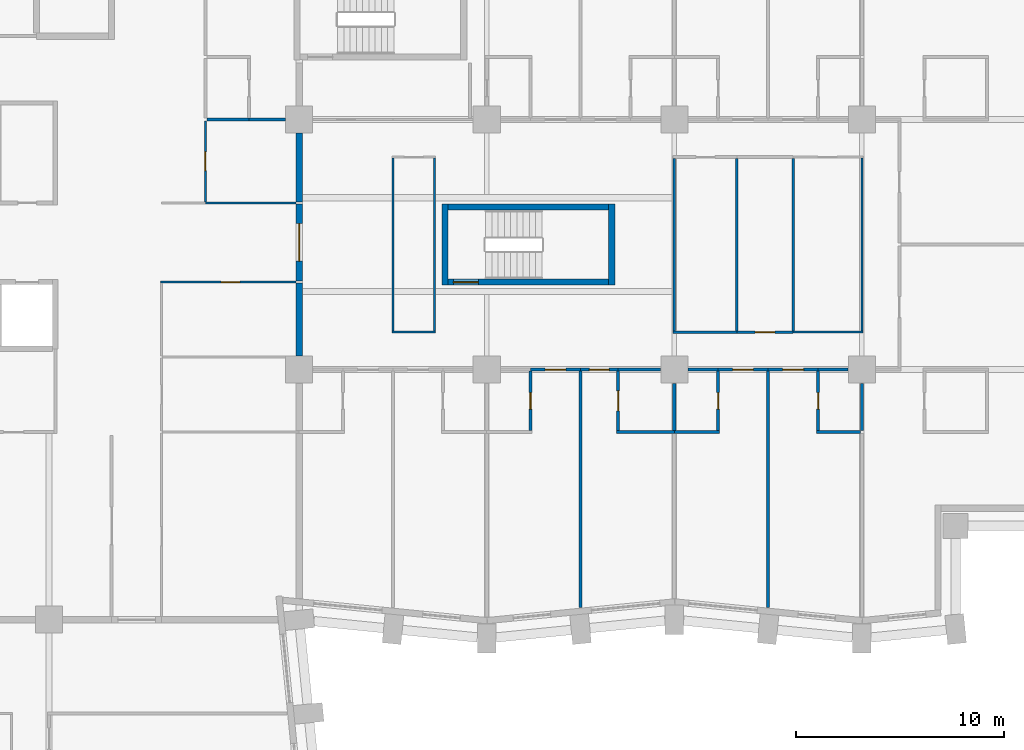
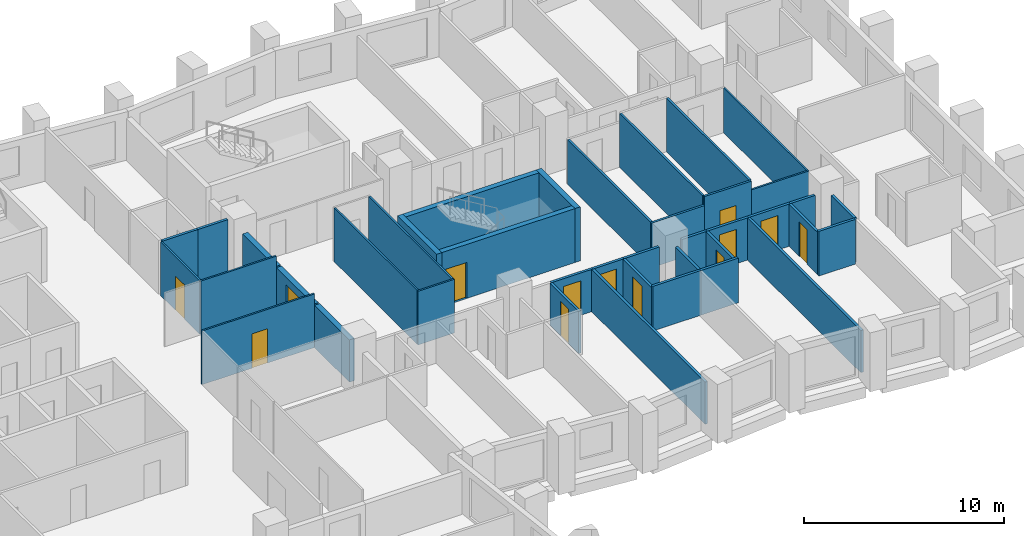
# One storey, part 8 of 13: 40 walls, 13 doors, 13 openings.
"""IFC4 building model written with IfcOpenShell, lengths in metres."""

from ifc_helpers import new_model, si_unit, direction, frame, frame_2d, origin, place, context, subcontext, project, spatial, rectangle, extrude, material, layer, layer_set, type_object, element, fill, save


model = new_model("IFC4")

# Units and contexts
model_context = context("Model", 3, precision=1e-05, world=origin(), true_north=direction((0.0, 1.0)))
body_context = subcontext(model_context, "Body", "Model", "MODEL_VIEW")
ifc_project = project(units=[si_unit("LENGTHUNIT", "METRE"), si_unit("AREAUNIT", "SQUARE_METRE"), si_unit("VOLUMEUNIT", "CUBIC_METRE"), si_unit("PLANEANGLEUNIT", "RADIAN"), si_unit("MASSUNIT", "GRAM", prefix="KILO")], contexts=[model_context])

# Site, building, storey
site_placement = place(None, origin())
site = spatial("IfcSite", under=ifc_project, at=site_placement, CompositionType="ELEMENT")
building_placement = place(site_placement, origin())
building = spatial("IfcBuilding", under=site, at=building_placement, Name="Brondeck Convention Tower", CompositionType="ELEMENT")
storey_placement = place(building_placement, frame((0.0, 0.0, 44.699951171875)))
storey = spatial("IfcBuildingStorey", under=building, at=storey_placement, Name="L08", CompositionType="ELEMENT", Elevation=44.699951171875)

# Wall
ifc_material_1 = material(Name="Concrete compartment wall C30/37", Category="concrete")
ifc_layer_1 = layer(ifc_material_1, 0.300048828125)
ifc_layer_set_1 = layer_set([ifc_layer_1], Name="Compartment wall 300")
wall_type_1 = type_object("IfcWallType", Name="Compartment wall 300", PredefinedType="PARTITIONING", material=ifc_layer_set_1)
wall_1_placement = place(storey_placement, frame((36.0, 43.14990234375, 0.0), z_axis=(0.0, 0.0, 1.0), x_axis=(0.0, -1.0, 0.0)))
element("IfcWall", 1, at=wall_1_placement, inside=storey, type_object=wall_type_1, Name="FLR-L08-W110", PredefinedType="PARTITIONING", context=body_context, shape_type="SweptSolid", body=[
    extrude(rectangle(XDim=3.494873046875, YDim=0.300048828125, at=frame_2d((1.74755859375, 0.0))), origin(), (0.0, 0.0, 1.0), 2.580078125),
])

# Wall, opening, door
wall_2_placement = place(storey_placement, frame((36.0, 46.949951171875, 0.0), z_axis=(0.0, 0.0, 1.0), x_axis=(0.0, -1.0, 0.0)))
wall_2 = element("IfcWall", 2, at=wall_2_placement, inside=storey, type_object=wall_type_1, Name="FLR-L08-W114", PredefinedType="PARTITIONING", context=body_context, shape_type="SweptSolid", body=[
    extrude(rectangle(XDim=3.699951171875, YDim=0.300048828125, at=frame_2d((1.85009765625, 0.0))), origin(), (0.0, 0.0, 1.0), 2.580078125),
])
opening_1_placement = place(wall_2_placement, frame((0.949951171875, 0.0, 0.0)))
opening_1 = element("IfcOpeningElement", 3, at=opening_1_placement, cuts=wall_2, Name="Opening H1-054", PredefinedType="OPENING", context=body_context, shape_type="SweptSolid", body=[
    extrude(rectangle(XDim=1.800048828125, YDim=2.10009765625, at=frame_2d((0.89990234375, 1.050048828125))), frame((0.0, 0.159912109375, 0.0), z_axis=(0.0, -1.0, 0.0), x_axis=(1.0, 0.0, 0.0)), (0.0, 0.0, 1.0), 0.320068359375),
])
ifc_material_2 = material(Name="Steel fire door pair", Category="steel")
door_type_1 = type_object("IfcDoorType", Name="Fire door pair 1800", OperationType="DOUBLE_DOOR_SINGLE_SWING", PredefinedType="DOOR", material=ifc_material_2)
door_1_placement = place(opening_1_placement, origin())
door_1 = element("IfcDoor", 4, at=door_1_placement, inside=storey, type_object=door_type_1, Name="Door H1-054", OperationType="DOUBLE_DOOR_SINGLE_SWING", OverallHeight=2.10009765625, OverallWidth=1.800048828125, PredefinedType="DOOR", context=body_context, shape_type="SweptSolid", body=[
    extrude(rectangle(XDim=1.800048828125, YDim=2.10009765625, at=frame_2d((0.89990234375, 1.050048828125))), frame((0.0, 0.02490234375, 0.0), z_axis=(0.0, -1.0, 0.0), x_axis=(1.0, 0.0, 0.0)), (0.0, 0.0, 1.0), 0.050048828125),
])
fill(opening_1, door_1)

# Walls
wall_3_placement = place(storey_placement, frame((36.0, 50.344970703125, 0.0), z_axis=(0.0, 0.0, 1.0), x_axis=(0.0, -1.0, 0.0)))
element("IfcWall", 5, at=wall_3_placement, inside=storey, type_object=wall_type_1, Name="FLR-L08-W126", PredefinedType="PARTITIONING", context=body_context, shape_type="SweptSolid", body=[
    extrude(rectangle(XDim=3.294921875, YDim=0.300048828125, at=frame_2d((1.6474609375, 0.0))), origin(), (0.0, 0.0, 1.0), 2.580078125),
])
ifc_material_3 = material(Name="Double gypsum board acoustic wall")
ifc_layer_2 = layer(ifc_material_3, 0.14990234375)
ifc_layer_set_2 = layer_set([ifc_layer_2], Name="Guest room party wall 150")
wall_type_2 = type_object("IfcWallType", Name="Guest room party wall 150", PredefinedType="PARTITIONING", material=ifc_layer_set_2)
wall_4_placement = place(storey_placement, frame((51.22509765625, 36.0, 0.0), z_axis=(0.0, 0.0, 1.0), x_axis=(1.0, 0.0, 0.0)))
element("IfcWall", 6, at=wall_4_placement, inside=storey, type_object=wall_type_2, Name="FLR-L08-W069", PredefinedType="PARTITIONING", context=body_context, shape_type="SweptSolid", body=[
    extrude(rectangle(XDim=2.77490234375, YDim=0.14990234375, at=frame_2d((1.387451171875, 0.0))), origin(), (0.0, 0.0, 1.0), 2.72998046875),
])
wall_5_placement = place(storey_placement, frame((54.0, 36.0, 0.0), z_axis=(0.0, 0.0, 1.0), x_axis=(1.0, 0.0, 0.0)))
element("IfcWall", 7, at=wall_5_placement, inside=storey, type_object=wall_type_2, Name="FLR-L08-W070", PredefinedType="PARTITIONING", context=body_context, shape_type="SweptSolid", body=[
    extrude(rectangle(XDim=2.175048828125, YDim=0.14990234375, at=frame_2d((1.08740234375, 0.0))), origin(), (0.0, 0.0, 1.0), 2.72998046875),
])
wall_6_placement = place(storey_placement, frame((60.824951171875, 36.0, 0.0), z_axis=(0.0, 0.0, 1.0), x_axis=(1.0, 0.0, 0.0)))
element("IfcWall", 8, at=wall_6_placement, inside=storey, type_object=wall_type_2, Name="FLR-L08-W071", PredefinedType="PARTITIONING", context=body_context, shape_type="SweptSolid", body=[
    extrude(rectangle(XDim=2.10009765625, YDim=0.14990234375, at=frame_2d((1.050048828125, 0.0))), origin(), (0.0, 0.0, 1.0), 2.72998046875),
])

# Wall, opening, door
wall_7_placement = place(storey_placement, frame((47.10009765625, 36.074951171875, 0.0), z_axis=(0.0, 0.0, 1.0), x_axis=(0.0, 1.0, 0.0)))
wall_7 = element("IfcWall", 9, at=wall_7_placement, inside=storey, type_object=wall_type_2, Name="FLR-L08-W074", PredefinedType="PARTITIONING", context=body_context, shape_type="SweptSolid", body=[
    extrude(rectangle(XDim=2.85009765625, YDim=0.14990234375, at=frame_2d((1.425048828125, 0.0))), origin(), (0.0, 0.0, 1.0), 2.580078125),
])
opening_2_placement = place(wall_7_placement, frame((1.02490234375, 0.0, 0.0)))
opening_2 = element("IfcOpeningElement", 10, at=opening_2_placement, cuts=wall_7, Name="Opening H1-015", PredefinedType="OPENING", context=body_context, shape_type="SweptSolid", body=[
    extrude(rectangle(XDim=0.800048828125, YDim=2.10009765625, at=frame_2d((0.39990234375, 1.050048828125))), frame((0.0, 0.0849609375, 0.0), z_axis=(0.0, -1.0, 0.0), x_axis=(1.0, 0.0, 0.0)), (0.0, 0.0, 1.0), 0.169921875),
])
ifc_material_4 = material(Name="Solid timber door leaf", Category="wood")
door_type_2 = type_object("IfcDoorType", Name="En-suite door 800", OperationType="NOTDEFINED", PredefinedType="DOOR", material=ifc_material_4)
door_2_placement = place(opening_2_placement, origin())
door_2 = element("IfcDoor", 11, at=door_2_placement, inside=storey, type_object=door_type_2, Name="Door H1-015", OperationType="SINGLE_SWING_LEFT", OverallHeight=2.10009765625, OverallWidth=0.800048828125, PredefinedType="DOOR", context=body_context, shape_type="SweptSolid", body=[
    extrude(rectangle(XDim=0.800048828125, YDim=2.10009765625, at=frame_2d((0.39990234375, 1.050048828125))), frame((0.0, 0.02490234375, 0.0), z_axis=(0.0, -1.0, 0.0), x_axis=(1.0, 0.0, 0.0)), (0.0, 0.0, 1.0), 0.050048828125),
])
fill(opening_2, door_2)

wall_8_placement = place(storey_placement, frame((56.10009765625, 36.074951171875, 0.0), z_axis=(0.0, 0.0, 1.0), x_axis=(0.0, 1.0, 0.0)))
wall_8 = element("IfcWall", 12, at=wall_8_placement, inside=storey, type_object=wall_type_2, Name="FLR-L08-W075", PredefinedType="PARTITIONING", context=body_context, shape_type="SweptSolid", body=[
    extrude(rectangle(XDim=2.85009765625, YDim=0.14990234375, at=frame_2d((1.425048828125, 0.0))), origin(), (0.0, 0.0, 1.0), 2.580078125),
])
opening_3_placement = place(wall_8_placement, frame((1.02490234375, 0.0, 0.0)))
opening_3 = element("IfcOpeningElement", 13, at=opening_3_placement, cuts=wall_8, Name="Opening H1-019", PredefinedType="OPENING", context=body_context, shape_type="SweptSolid", body=[
    extrude(rectangle(XDim=0.800048828125, YDim=2.10009765625, at=frame_2d((0.39990234375, 1.050048828125))), frame((0.0, 0.0849609375, 0.0), z_axis=(0.0, -1.0, 0.0), x_axis=(1.0, 0.0, 0.0)), (0.0, 0.0, 1.0), 0.169921875),
])
door_3_placement = place(opening_3_placement, origin())
door_3 = element("IfcDoor", 14, at=door_3_placement, inside=storey, type_object=door_type_2, Name="Door H1-019", OperationType="SINGLE_SWING_LEFT", OverallHeight=2.10009765625, OverallWidth=0.800048828125, PredefinedType="DOOR", context=body_context, shape_type="SweptSolid", body=[
    extrude(rectangle(XDim=0.800048828125, YDim=2.10009765625, at=frame_2d((0.39990234375, 1.050048828125))), frame((0.0, 0.02490234375, 0.0), z_axis=(0.0, -1.0, 0.0), x_axis=(1.0, 0.0, 0.0)), (0.0, 0.0, 1.0), 0.050048828125),
])
fill(opening_3, door_3)

# Walls
for number, where, z_axis, x_axis, name in (
    (15, (54.0, 38.344970703125, 0.0), (0.0, 0.0, 1.0), (0.0, -1.0, 0.0), "FLR-L08-W079"),
    (16, (63.0, 38.344970703125, 0.0), (0.0, 0.0, 1.0), (0.0, -1.0, 0.0), "FLR-L08-W080"),
):
    element("IfcWall", number, at=place(storey_placement, frame(where, z_axis=z_axis, x_axis=x_axis)), inside=storey, type_object=wall_type_2, Name=name, PredefinedType="PARTITIONING", context=body_context, shape_type="SweptSolid", body=[
        extrude(rectangle(XDim=2.27001953125, YDim=0.14990234375, at=frame_2d((1.135009765625, 0.0))), origin(), (0.0, 0.0, 1.0), 2.72998046875),
    ])
wall_9_placement = place(storey_placement, frame((49.5, 38.925048828125, 0.0), z_axis=(0.0, 0.0, 1.0), x_axis=(0.0, -1.0, 0.0)))
element("IfcWall", 17, at=wall_9_placement, inside=storey, type_object=wall_type_2, Name="FLR-L08-W083", PredefinedType="PARTITIONING", context=body_context, shape_type="SweptSolid", body=[
    extrude(rectangle(XDim=11.35009765625, YDim=0.14990234375, at=frame_2d((5.675048828125, 0.0))), origin(), (0.0, 0.0, 1.0), 2.580078125),
])

# Wall, opening, door
wall_10_placement = place(storey_placement, frame((51.300048828125, 38.925048828125, 0.0), z_axis=(0.0, 0.0, 1.0), x_axis=(0.0, -1.0, 0.0)))
wall_10 = element("IfcWall", 18, at=wall_10_placement, inside=storey, type_object=wall_type_2, Name="FLR-L08-W084", PredefinedType="PARTITIONING", context=body_context, shape_type="SweptSolid", body=[
    extrude(rectangle(XDim=2.85009765625, YDim=0.14990234375, at=frame_2d((1.425048828125, 0.0))), origin(), (0.0, 0.0, 1.0), 2.580078125),
])
opening_4_placement = place(wall_10_placement, frame((0.949951171875, 0.0, 0.0)))
opening_4 = element("IfcOpeningElement", 19, at=opening_4_placement, cuts=wall_10, Name="Opening H1-017", PredefinedType="OPENING", context=body_context, shape_type="SweptSolid", body=[
    extrude(rectangle(XDim=0.949951171875, YDim=2.10009765625, at=frame_2d((0.47509765625, 1.050048828125))), frame((0.0, 0.0849609375, 0.0), z_axis=(0.0, -1.0, 0.0), x_axis=(1.0, 0.0, 0.0)), (0.0, 0.0, 1.0), 0.169921875),
])
door_type_3 = type_object("IfcDoorType", Name="Accessible door 950", OperationType="NOTDEFINED", PredefinedType="DOOR", material=ifc_material_4)
door_4_placement = place(opening_4_placement, origin())
door_4 = element("IfcDoor", 20, at=door_4_placement, inside=storey, type_object=door_type_3, Name="Door H1-017", OperationType="SINGLE_SWING_LEFT", OverallHeight=2.10009765625, OverallWidth=0.949951171875, PredefinedType="DOOR", context=body_context, shape_type="SweptSolid", body=[
    extrude(rectangle(XDim=0.949951171875, YDim=2.10009765625, at=frame_2d((0.47509765625, 1.050048828125))), frame((0.0, 0.02490234375, 0.0), z_axis=(0.0, -1.0, 0.0), x_axis=(1.0, 0.0, 0.0)), (0.0, 0.0, 1.0), 0.050048828125),
])
fill(opening_4, door_4)

# Wall
wall_11_placement = place(storey_placement, frame((58.5, 38.925048828125, 0.0), z_axis=(0.0, 0.0, 1.0), x_axis=(0.0, -1.0, 0.0)))
element("IfcWall", 21, at=wall_11_placement, inside=storey, type_object=wall_type_2, Name="FLR-L08-W085", PredefinedType="PARTITIONING", context=body_context, shape_type="SweptSolid", body=[
    extrude(rectangle(XDim=11.35009765625, YDim=0.14990234375, at=frame_2d((5.675048828125, 0.0))), origin(), (0.0, 0.0, 1.0), 2.580078125),
])

# Wall, opening, door
wall_12_placement = place(storey_placement, frame((60.89990234375, 38.925048828125, 0.0), z_axis=(0.0, 0.0, 1.0), x_axis=(0.0, -1.0, 0.0)))
wall_12 = element("IfcWall", 22, at=wall_12_placement, inside=storey, type_object=wall_type_2, Name="FLR-L08-W086", PredefinedType="PARTITIONING", context=body_context, shape_type="SweptSolid", body=[
    extrude(rectangle(XDim=2.85009765625, YDim=0.14990234375, at=frame_2d((1.425048828125, 0.0))), origin(), (0.0, 0.0, 1.0), 2.580078125),
])
opening_5_placement = place(wall_12_placement, frame((1.02490234375, 0.0, 0.0)))
opening_5 = element("IfcOpeningElement", 23, at=opening_5_placement, cuts=wall_12, Name="Opening H1-021", PredefinedType="OPENING", context=body_context, shape_type="SweptSolid", body=[
    extrude(rectangle(XDim=0.800048828125, YDim=2.10009765625, at=frame_2d((0.39990234375, 1.050048828125))), frame((0.0, 0.0849609375, 0.0), z_axis=(0.0, -1.0, 0.0), x_axis=(1.0, 0.0, 0.0)), (0.0, 0.0, 1.0), 0.169921875),
])
door_5_placement = place(opening_5_placement, origin())
door_5 = element("IfcDoor", 24, at=door_5_placement, inside=storey, type_object=door_type_2, Name="Door H1-021", OperationType="SINGLE_SWING_LEFT", OverallHeight=2.10009765625, OverallWidth=0.800048828125, PredefinedType="DOOR", context=body_context, shape_type="SweptSolid", body=[
    extrude(rectangle(XDim=0.800048828125, YDim=2.10009765625, at=frame_2d((0.39990234375, 1.050048828125))), frame((0.0, 0.02490234375, 0.0), z_axis=(0.0, -1.0, 0.0), x_axis=(1.0, 0.0, 0.0)), (0.0, 0.0, 1.0), 0.050048828125),
])
fill(opening_5, door_5)

wall_13_placement = place(storey_placement, frame((49.5, 39.0, 0.0), z_axis=(0.0, 0.0, 1.0), x_axis=(-1.0, 0.0, 0.0)))
wall_13 = element("IfcWall", 25, at=wall_13_placement, inside=storey, type_object=wall_type_2, Name="FLR-L08-W093", PredefinedType="PARTITIONING", context=body_context, shape_type="SweptSolid", body=[
    extrude(rectangle(XDim=2.39990234375, YDim=0.14990234375, at=frame_2d((1.199951171875, 0.0))), origin(), (0.0, 0.0, 1.0), 2.580078125),
])
opening_6_placement = place(wall_13_placement, frame((0.699951171875, 0.0, 0.0)))
opening_6 = element("IfcOpeningElement", 26, at=opening_6_placement, cuts=wall_13, Name="Opening H1-014", PredefinedType="OPENING", context=body_context, shape_type="SweptSolid", body=[
    extrude(rectangle(XDim=1.0, YDim=2.10009765625, at=frame_2d((0.5, 1.050048828125))), frame((0.0, 0.0849609375, 0.0), z_axis=(0.0, -1.0, 0.0), x_axis=(1.0, 0.0, 0.0)), (0.0, 0.0, 1.0), 0.169921875),
])
ifc_material_5 = material(Name="Solid timber fire door leaf", Category="wood")
door_type_4 = type_object("IfcDoorType", Name="Guest room door 1000", OperationType="NOTDEFINED", PredefinedType="DOOR", material=ifc_material_5)
door_6_placement = place(opening_6_placement, origin())
door_6 = element("IfcDoor", 27, at=door_6_placement, inside=storey, type_object=door_type_4, Name="Door H1-014", OperationType="SINGLE_SWING_LEFT", OverallHeight=2.10009765625, OverallWidth=1.0, PredefinedType="DOOR", context=body_context, shape_type="SweptSolid", body=[
    extrude(rectangle(XDim=1.0, YDim=2.10009765625, at=frame_2d((0.5, 1.050048828125))), frame((0.0, 0.02490234375, 0.0), z_axis=(0.0, -1.0, 0.0), x_axis=(1.0, 0.0, 0.0)), (0.0, 0.0, 1.0), 0.050048828125),
])
fill(opening_6, door_6)

wall_14_placement = place(storey_placement, frame((51.300048828125, 39.0, 0.0), z_axis=(0.0, 0.0, 1.0), x_axis=(-1.0, 0.0, 0.0)))
wall_14 = element("IfcWall", 28, at=wall_14_placement, inside=storey, type_object=wall_type_2, Name="FLR-L08-W094", PredefinedType="PARTITIONING", context=body_context, shape_type="SweptSolid", body=[
    extrude(rectangle(XDim=1.800048828125, YDim=0.14990234375, at=frame_2d((0.89990234375, 0.0))), origin(), (0.0, 0.0, 1.0), 2.580078125),
])
opening_7_placement = place(wall_14_placement, frame((0.425048828125, 0.0, 0.0)))
opening_7 = element("IfcOpeningElement", 29, at=opening_7_placement, cuts=wall_14, Name="Opening H1-016", PredefinedType="OPENING", context=body_context, shape_type="SweptSolid", body=[
    extrude(rectangle(XDim=0.949951171875, YDim=2.10009765625, at=frame_2d((0.47509765625, 1.050048828125))), frame((0.0, 0.0849609375, 0.0), z_axis=(0.0, -1.0, 0.0), x_axis=(1.0, 0.0, 0.0)), (0.0, 0.0, 1.0), 0.169921875),
])
door_7_placement = place(opening_7_placement, origin())
door_7 = element("IfcDoor", 30, at=door_7_placement, inside=storey, type_object=door_type_3, Name="Door H1-016", OperationType="SINGLE_SWING_LEFT", OverallHeight=2.10009765625, OverallWidth=0.949951171875, PredefinedType="DOOR", context=body_context, shape_type="SweptSolid", body=[
    extrude(rectangle(XDim=0.949951171875, YDim=2.10009765625, at=frame_2d((0.47509765625, 1.050048828125))), frame((0.0, 0.02490234375, 0.0), z_axis=(0.0, -1.0, 0.0), x_axis=(1.0, 0.0, 0.0)), (0.0, 0.0, 1.0), 0.050048828125),
])
fill(opening_7, door_7)

# Walls
wall_15_placement = place(storey_placement, frame((53.344970703125, 39.0, 0.0), z_axis=(0.0, 0.0, 1.0), x_axis=(-1.0, 0.0, 0.0)))
element("IfcWall", 31, at=wall_15_placement, inside=storey, type_object=wall_type_2, Name="FLR-L08-W095", PredefinedType="PARTITIONING", context=body_context, shape_type="SweptSolid", body=[
    extrude(rectangle(XDim=2.044921875, YDim=0.14990234375, at=frame_2d((1.0224609375, 0.0))), origin(), (0.0, 0.0, 1.0), 2.580078125),
])
wall_16_placement = place(storey_placement, frame((56.10009765625, 39.0, 0.0), z_axis=(0.0, 0.0, 1.0), x_axis=(-1.0, 0.0, 0.0)))
element("IfcWall", 32, at=wall_16_placement, inside=storey, type_object=wall_type_2, Name="FLR-L08-W096", PredefinedType="PARTITIONING", context=body_context, shape_type="SweptSolid", body=[
    extrude(rectangle(XDim=1.445068359375, YDim=0.14990234375, at=frame_2d((0.72265625, 0.0))), origin(), (0.0, 0.0, 1.0), 2.580078125),
])

# Wall, opening, door
wall_17_placement = place(storey_placement, frame((58.5, 39.0, 0.0), z_axis=(0.0, 0.0, 1.0), x_axis=(-1.0, 0.0, 0.0)))
wall_17 = element("IfcWall", 33, at=wall_17_placement, inside=storey, type_object=wall_type_2, Name="FLR-L08-W097", PredefinedType="PARTITIONING", context=body_context, shape_type="SweptSolid", body=[
    extrude(rectangle(XDim=2.39990234375, YDim=0.14990234375, at=frame_2d((1.199951171875, 0.0))), origin(), (0.0, 0.0, 1.0), 2.580078125),
])
opening_8_placement = place(wall_17_placement, frame((0.699951171875, 0.0, 0.0)))
opening_8 = element("IfcOpeningElement", 34, at=opening_8_placement, cuts=wall_17, Name="Opening H1-018", PredefinedType="OPENING", context=body_context, shape_type="SweptSolid", body=[
    extrude(rectangle(XDim=1.0, YDim=2.10009765625, at=frame_2d((0.5, 1.050048828125))), frame((0.0, 0.0849609375, 0.0), z_axis=(0.0, -1.0, 0.0), x_axis=(1.0, 0.0, 0.0)), (0.0, 0.0, 1.0), 0.169921875),
])
door_8_placement = place(opening_8_placement, origin())
door_8 = element("IfcDoor", 35, at=door_8_placement, inside=storey, type_object=door_type_4, Name="Door H1-018", OperationType="SINGLE_SWING_LEFT", OverallHeight=2.10009765625, OverallWidth=1.0, PredefinedType="DOOR", context=body_context, shape_type="SweptSolid", body=[
    extrude(rectangle(XDim=1.0, YDim=2.10009765625, at=frame_2d((0.5, 1.050048828125))), frame((0.0, 0.02490234375, 0.0), z_axis=(0.0, -1.0, 0.0), x_axis=(1.0, 0.0, 0.0)), (0.0, 0.0, 1.0), 0.050048828125),
])
fill(opening_8, door_8)

wall_18_placement = place(storey_placement, frame((60.89990234375, 39.0, 0.0), z_axis=(0.0, 0.0, 1.0), x_axis=(-1.0, 0.0, 0.0)))
wall_18 = element("IfcWall", 36, at=wall_18_placement, inside=storey, type_object=wall_type_2, Name="FLR-L08-W098", PredefinedType="PARTITIONING", context=body_context, shape_type="SweptSolid", body=[
    extrude(rectangle(XDim=2.39990234375, YDim=0.14990234375, at=frame_2d((1.199951171875, 0.0))), origin(), (0.0, 0.0, 1.0), 2.580078125),
])
opening_9_placement = place(wall_18_placement, frame((0.699951171875, 0.0, 0.0)))
opening_9 = element("IfcOpeningElement", 37, at=opening_9_placement, cuts=wall_18, Name="Opening H1-020", PredefinedType="OPENING", context=body_context, shape_type="SweptSolid", body=[
    extrude(rectangle(XDim=1.0, YDim=2.10009765625, at=frame_2d((0.5, 1.050048828125))), frame((0.0, 0.0849609375, 0.0), z_axis=(0.0, -1.0, 0.0), x_axis=(1.0, 0.0, 0.0)), (0.0, 0.0, 1.0), 0.169921875),
])
door_9_placement = place(opening_9_placement, origin())
door_9 = element("IfcDoor", 38, at=door_9_placement, inside=storey, type_object=door_type_4, Name="Door H1-020", OperationType="SINGLE_SWING_LEFT", OverallHeight=2.10009765625, OverallWidth=1.0, PredefinedType="DOOR", context=body_context, shape_type="SweptSolid", body=[
    extrude(rectangle(XDim=1.0, YDim=2.10009765625, at=frame_2d((0.5, 1.050048828125))), frame((0.0, 0.02490234375, 0.0), z_axis=(0.0, -1.0, 0.0), x_axis=(1.0, 0.0, 0.0)), (0.0, 0.0, 1.0), 0.050048828125),
])
fill(opening_9, door_9)

# Walls
wall_19_placement = place(storey_placement, frame((62.344970703125, 39.0, 0.0), z_axis=(0.0, 0.0, 1.0), x_axis=(-1.0, 0.0, 0.0)))
element("IfcWall", 39, at=wall_19_placement, inside=storey, type_object=wall_type_2, Name="FLR-L08-W099", PredefinedType="PARTITIONING", context=body_context, shape_type="SweptSolid", body=[
    extrude(rectangle(XDim=1.445068359375, YDim=0.14990234375, at=frame_2d((0.72265625, 0.0))), origin(), (0.0, 0.0, 1.0), 2.580078125),
])
wall_20_placement = place(storey_placement, frame((31.574951171875, 51.0, 0.0), z_axis=(0.0, 0.0, 1.0), x_axis=(1.0, 0.0, 0.0)))
element("IfcWall", 40, at=wall_20_placement, inside=storey, type_object=wall_type_2, Name="FLR-L08-W129", PredefinedType="PARTITIONING", context=body_context, shape_type="SweptSolid", body=[
    extrude(rectangle(XDim=2.025146484375, YDim=0.14990234375, at=frame_2d((1.0126953125, 0.0))), origin(), (0.0, 0.0, 1.0), 3.280029296875),
])
wall_21_placement = place(storey_placement, frame((33.60009765625, 51.0, 0.0), z_axis=(0.0, 0.0, 1.0), x_axis=(1.0, 0.0, 0.0)))
element("IfcWall", 41, at=wall_21_placement, inside=storey, type_object=wall_type_2, Name="FLR-L08-W130", PredefinedType="PARTITIONING", context=body_context, shape_type="SweptSolid", body=[
    extrude(rectangle(XDim=1.744873046875, YDim=0.14990234375, at=frame_2d((0.87255859375, 0.0))), origin(), (0.0, 0.0, 1.0), 3.280029296875),
])
ifc_material_6 = material(Name="Gypsum board shaft wall on steel studs", Category="steel")
ifc_layer_3 = layer(ifc_material_6, 0.125)
ifc_layer_set_3 = layer_set([ifc_layer_3], Name="Riser wall 125")
wall_type_3 = type_object("IfcWallType", Name="Riser wall 125", PredefinedType="PARTITIONING", material=ifc_layer_set_3)
wall_22_placement = place(storey_placement, frame((53.9375, 40.800048828125, 0.0), z_axis=(0.0, 0.0, 1.0), x_axis=(1.0, 0.0, 0.0)))
element("IfcWall", 42, at=wall_22_placement, inside=storey, type_object=wall_type_3, Name="FLR-L08-W105", PredefinedType="PARTITIONING", context=body_context, shape_type="SweptSolid", body=[
    extrude(rectangle(XDim=3.0625, YDim=0.125, at=frame_2d((1.53125, 0.0))), origin(), (0.0, 0.0, 1.0), 2.72998046875),
])

# Wall, opening, door
wall_23_placement = place(storey_placement, frame((57.0, 40.800048828125, 0.0), z_axis=(0.0, 0.0, 1.0), x_axis=(1.0, 0.0, 0.0)))
wall_23 = element("IfcWall", 43, at=wall_23_placement, inside=storey, type_object=wall_type_3, Name="FLR-L08-W106", PredefinedType="PARTITIONING", context=body_context, shape_type="SweptSolid", body=[
    extrude(rectangle(XDim=2.699951171875, YDim=0.125, at=frame_2d((1.35009765625, 0.0))), origin(), (0.0, 0.0, 1.0), 3.280029296875),
])
opening_10_placement = place(wall_23_placement, frame((0.875, 0.0, 0.0)))
opening_10 = element("IfcOpeningElement", 44, at=opening_10_placement, cuts=wall_23, Name="Opening H1-024", PredefinedType="OPENING", context=body_context, shape_type="SweptSolid", body=[
    extrude(rectangle(XDim=0.949951171875, YDim=2.10009765625, at=frame_2d((0.47509765625, 1.050048828125))), frame((0.0, 0.072509765625, 0.0), z_axis=(0.0, -1.0, 0.0), x_axis=(1.0, 0.0, 0.0)), (0.0, 0.0, 1.0), 0.14501953125),
])
door_10_placement = place(opening_10_placement, origin())
door_10 = element("IfcDoor", 45, at=door_10_placement, inside=storey, type_object=door_type_3, Name="Door H1-024", OperationType="SINGLE_SWING_LEFT", OverallHeight=2.10009765625, OverallWidth=0.949951171875, PredefinedType="DOOR", context=body_context, shape_type="SweptSolid", body=[
    extrude(rectangle(XDim=0.949951171875, YDim=2.10009765625, at=frame_2d((0.47509765625, 1.050048828125))), frame((0.0, 0.02490234375, 0.0), z_axis=(0.0, -1.0, 0.0), x_axis=(1.0, 0.0, 0.0)), (0.0, 0.0, 1.0), 0.050048828125),
])
fill(opening_10, door_10)

# Walls
wall_24_placement = place(storey_placement, frame((54.0, 49.137451171875, 0.0), z_axis=(0.0, 0.0, 1.0), x_axis=(0.0, -1.0, 0.0)))
element("IfcWall", 46, at=wall_24_placement, inside=storey, type_object=wall_type_3, Name="FLR-L08-W117", PredefinedType="PARTITIONING", context=body_context, shape_type="SweptSolid", body=[
    extrude(rectangle(XDim=8.27490234375, YDim=0.125, at=frame_2d((4.137451171875, 0.0))), origin(), (0.0, 0.0, 1.0), 2.72998046875),
])
for number, where, z_axis, x_axis, name in (
    (47, (57.0, 49.137451171875, 0.0), (0.0, 0.0, 1.0), (0.0, -1.0, 0.0), "FLR-L08-W118"),
    (48, (59.699951171875, 49.137451171875, 0.0), (0.0, 0.0, 1.0), (0.0, -1.0, 0.0), "FLR-L08-W119"),
):
    element("IfcWall", number, at=place(storey_placement, frame(where, z_axis=z_axis, x_axis=x_axis)), inside=storey, type_object=wall_type_3, Name=name, PredefinedType="PARTITIONING", context=body_context, shape_type="SweptSolid", body=[
        extrude(rectangle(XDim=8.27490234375, YDim=0.125, at=frame_2d((4.137451171875, 0.0))), origin(), (0.0, 0.0, 1.0), 3.280029296875),
    ])
ifc_material_7 = material(Name="Gypsum board partition on steel studs", Category="steel")
ifc_layer_4 = layer(ifc_material_7, 0.10009765625)
ifc_layer_set_4 = layer_set([ifc_layer_4], Name="Room partition 100")
wall_type_4 = type_object("IfcWallType", Name="Room partition 100", PredefinedType="PARTITIONING", material=ifc_layer_set_4)
wall_25_placement = place(storey_placement, frame((40.449951171875, 40.800048828125, 0.0), z_axis=(0.0, 0.0, 1.0), x_axis=(1.0, 0.0, 0.0)))
element("IfcWall", 49, at=wall_25_placement, inside=storey, type_object=wall_type_4, Name="FLR-L08-W104", PredefinedType="PARTITIONING", context=body_context, shape_type="SweptSolid", body=[
    extrude(rectangle(XDim=2.10009765625, YDim=0.10009765625, at=frame_2d((1.050048828125, 0.0))), origin(), (0.0, 0.0, 1.0), 3.280029296875),
])
wall_26_placement = place(storey_placement, frame((59.699951171875, 40.800048828125, 0.0), z_axis=(0.0, 0.0, 1.0), x_axis=(1.0, 0.0, 0.0)))
element("IfcWall", 50, at=wall_26_placement, inside=storey, type_object=wall_type_4, Name="FLR-L08-W107", PredefinedType="PARTITIONING", context=body_context, shape_type="SweptSolid", body=[
    extrude(rectangle(XDim=3.35009765625, YDim=0.10009765625, at=frame_2d((1.675048828125, 0.0))), origin(), (0.0, 0.0, 1.0), 2.72998046875),
])
wall_27_placement = place(storey_placement, frame((63.0, 40.85009765625, 0.0), z_axis=(0.0, 0.0, 1.0), x_axis=(0.0, 1.0, 0.0)))
element("IfcWall", 51, at=wall_27_placement, inside=storey, type_object=wall_type_4, Name="FLR-L08-W108", PredefinedType="PARTITIONING", context=body_context, shape_type="SweptSolid", body=[
    extrude(rectangle(XDim=8.2998046875, YDim=0.10009765625, at=frame_2d((4.14990234375, 0.0))), origin(), (0.0, 0.0, 1.0), 2.72998046875),
])

# Wall, opening, door
wall_28_placement = place(storey_placement, frame((35.85009765625, 43.199951171875, 0.0), z_axis=(0.0, 0.0, 1.0), x_axis=(-1.0, 0.0, 0.0)))
wall_28 = element("IfcWall", 52, at=wall_28_placement, inside=storey, type_object=wall_type_4, Name="FLR-L08-W111", PredefinedType="PARTITIONING", context=body_context, shape_type="SweptSolid", body=[
    extrude(rectangle(XDim=6.5, YDim=0.10009765625, at=frame_2d((3.25, 0.0))), origin(), (0.0, 0.0, 1.0), 3.280029296875),
])
opening_11_placement = place(wall_28_placement, frame((2.699951171875, 0.0, 0.0)))
opening_11 = element("IfcOpeningElement", 53, at=opening_11_placement, cuts=wall_28, Name="Opening H1-049", PredefinedType="OPENING", context=body_context, shape_type="SweptSolid", body=[
    extrude(rectangle(XDim=0.89990234375, YDim=2.10009765625, at=frame_2d((0.449951171875, 1.050048828125))), frame((0.0, 0.06005859375, 0.0), z_axis=(0.0, -1.0, 0.0), x_axis=(1.0, 0.0, 0.0)), (0.0, 0.0, 1.0), 0.1201171875),
])
door_type_5 = type_object("IfcDoorType", Name="Single door 900", OperationType="NOTDEFINED", PredefinedType="DOOR", material=ifc_material_4)
door_11_placement = place(opening_11_placement, origin())
door_11 = element("IfcDoor", 54, at=door_11_placement, inside=storey, type_object=door_type_5, Name="Door H1-049", OperationType="SINGLE_SWING_LEFT", OverallHeight=2.10009765625, OverallWidth=0.89990234375, PredefinedType="DOOR", context=body_context, shape_type="SweptSolid", body=[
    extrude(rectangle(XDim=0.89990234375, YDim=2.10009765625, at=frame_2d((0.449951171875, 1.050048828125))), frame((0.0, 0.02490234375, 0.0), z_axis=(0.0, -1.0, 0.0), x_axis=(1.0, 0.0, 0.0)), (0.0, 0.0, 1.0), 0.050048828125),
])
fill(opening_11, door_11)

# Walls
wall_29_placement = place(storey_placement, frame((31.5, 47.0, 0.0), z_axis=(0.0, 0.0, 1.0), x_axis=(1.0, 0.0, 0.0)))
element("IfcWall", 55, at=wall_29_placement, inside=storey, type_object=wall_type_4, Name="FLR-L08-W116", PredefinedType="PARTITIONING", context=body_context, shape_type="SweptSolid", body=[
    extrude(rectangle(XDim=4.35009765625, YDim=0.10009765625, at=frame_2d((2.175048828125, 0.0))), origin(), (0.0, 0.0, 1.0), 3.280029296875),
])
for number, where, z_axis, x_axis, name in (
    (56, (40.5, 49.14990234375, 0.0), (0.0, 0.0, 1.0), (0.0, -1.0, 0.0), "FLR-L08-W120"),
    (57, (42.5, 49.14990234375, 0.0), (0.0, 0.0, 1.0), (0.0, -1.0, 0.0), "FLR-L08-W121"),
):
    element("IfcWall", number, at=place(storey_placement, frame(where, z_axis=z_axis, x_axis=x_axis)), inside=storey, type_object=wall_type_4, Name=name, PredefinedType="PARTITIONING", context=body_context, shape_type="SweptSolid", body=[
        extrude(rectangle(XDim=8.2998046875, YDim=0.10009765625, at=frame_2d((4.14990234375, 0.0))), origin(), (0.0, 0.0, 1.0), 3.280029296875),
    ])

# Wall, opening, door
wall_30_placement = place(storey_placement, frame((31.5, 50.925048828125, 0.0), z_axis=(0.0, 0.0, 1.0), x_axis=(0.0, -1.0, 0.0)))
wall_30 = element("IfcWall", 58, at=wall_30_placement, inside=storey, type_object=wall_type_4, Name="FLR-L08-W127", PredefinedType="PARTITIONING", context=body_context, shape_type="SweptSolid", body=[
    extrude(rectangle(XDim=3.875, YDim=0.10009765625, at=frame_2d((1.9375, 0.0))), origin(), (0.0, 0.0, 1.0), 3.280029296875),
])
opening_12_placement = place(wall_30_placement, frame((1.47509765625, 0.0, 0.0)))
opening_12 = element("IfcOpeningElement", 59, at=opening_12_placement, cuts=wall_30, Name="Opening H1-048", PredefinedType="OPENING", context=body_context, shape_type="SweptSolid", body=[
    extrude(rectangle(XDim=0.89990234375, YDim=2.10009765625, at=frame_2d((0.449951171875, 1.050048828125))), frame((0.0, 0.06005859375, 0.0), z_axis=(0.0, -1.0, 0.0), x_axis=(1.0, 0.0, 0.0)), (0.0, 0.0, 1.0), 0.1201171875),
])
door_12_placement = place(opening_12_placement, origin())
door_12 = element("IfcDoor", 60, at=door_12_placement, inside=storey, type_object=door_type_5, Name="Door H1-048", OperationType="SINGLE_SWING_LEFT", OverallHeight=2.10009765625, OverallWidth=0.89990234375, PredefinedType="DOOR", context=body_context, shape_type="SweptSolid", body=[
    extrude(rectangle(XDim=0.89990234375, YDim=2.10009765625, at=frame_2d((0.449951171875, 1.050048828125))), frame((0.0, 0.02490234375, 0.0), z_axis=(0.0, -1.0, 0.0), x_axis=(1.0, 0.0, 0.0)), (0.0, 0.0, 1.0), 0.050048828125),
])
fill(opening_12, door_12)

ifc_material_8 = material(Name="Concrete C80/95", Category="concrete")
ifc_layer_5 = layer(ifc_material_8, 0.300048828125)
ifc_layer_set_5 = layer_set([ifc_layer_5], Name="Stair enclosure wall 300 Concrete C80/95")
wall_type_5 = type_object("IfcWallType", Name="Stair enclosure wall 300 Concrete C80/95", PredefinedType="SHEAR", material=ifc_layer_set_5)
wall_31_placement = place(storey_placement, frame((43.14990234375, 43.199951171875, 0.0), z_axis=(0.0, 0.0, 1.0), x_axis=(1.0, 0.0, 0.0)))
wall_31 = element("IfcWall", 61, at=wall_31_placement, inside=storey, type_object=wall_type_5, Name="L08 core wall", PredefinedType="SHEAR", context=body_context, shape_type="SweptSolid", body=[
    extrude(rectangle(XDim=7.7001953125, YDim=0.300048828125, at=frame_2d((3.85009765625, 0.0))), origin(), (0.0, 0.0, 1.0), 3.300048828125),
])
opening_13_placement = place(wall_31_placement, frame((0.25, 0.0, 0.0)))
opening_13 = element("IfcOpeningElement", 62, at=opening_13_placement, cuts=wall_31, Name="Opening C08-18", PredefinedType="OPENING", context=body_context, shape_type="SweptSolid", body=[
    extrude(rectangle(XDim=1.199951171875, YDim=2.199951171875, at=frame_2d((0.60009765625, 1.10009765625))), frame((0.0, 0.159912109375, 0.0), z_axis=(0.0, -1.0, 0.0), x_axis=(1.0, 0.0, 0.0)), (0.0, 0.0, 1.0), 0.320068359375),
])
ifc_material_9 = material(Name="Steel fire door", Category="steel")
door_type_6 = type_object("IfcDoorType", Name="Stair door 1200x2200 EI 90", OperationType="NOTDEFINED", PredefinedType="DOOR", material=ifc_material_9)
door_13_placement = place(opening_13_placement, origin())
door_13 = element("IfcDoor", 63, at=door_13_placement, inside=storey, type_object=door_type_6, Name="L08 Stair door ST-AF", OperationType="SINGLE_SWING_RIGHT", OverallHeight=2.199951171875, OverallWidth=1.199951171875, PredefinedType="DOOR", context=body_context, shape_type="SweptSolid", body=[
    extrude(rectangle(XDim=1.199951171875, YDim=2.199951171875, at=frame_2d((0.60009765625, 1.10009765625))), frame((0.0, 0.02490234375, 0.0), z_axis=(0.0, -1.0, 0.0), x_axis=(1.0, 0.0, 0.0)), (0.0, 0.0, 1.0), 0.050048828125),
])
fill(opening_13, door_13)

# Walls
wall_32_placement = place(storey_placement, frame((43.14990234375, 46.800048828125, 0.0), z_axis=(0.0, 0.0, 1.0), x_axis=(1.0, 0.0, 0.0)))
element("IfcWall", 64, at=wall_32_placement, inside=storey, type_object=wall_type_5, Name="L08 core wall", PredefinedType="SHEAR", context=body_context, shape_type="SweptSolid", body=[
    extrude(rectangle(XDim=7.7001953125, YDim=0.300048828125, at=frame_2d((3.85009765625, 0.0))), origin(), (0.0, 0.0, 1.0), 3.300048828125),
])
for number, where, z_axis, x_axis, name in (
    (65, (43.0, 43.050048828125, 0.0), (0.0, 0.0, 1.0), (0.0, 1.0, 0.0), "L08 core wall"),
    (66, (51.0, 43.050048828125, 0.0), (0.0, 0.0, 1.0), (0.0, 1.0, 0.0), "L08 core wall"),
):
    element("IfcWall", number, at=place(storey_placement, frame(where, z_axis=z_axis, x_axis=x_axis)), inside=storey, type_object=wall_type_5, Name=name, PredefinedType="SHEAR", context=body_context, shape_type="SweptSolid", body=[
        extrude(rectangle(XDim=3.89990234375, YDim=0.300048828125, at=frame_2d((1.949951171875, 0.0))), origin(), (0.0, 0.0, 1.0), 3.300048828125),
    ])

save(model, "model.ifc")
